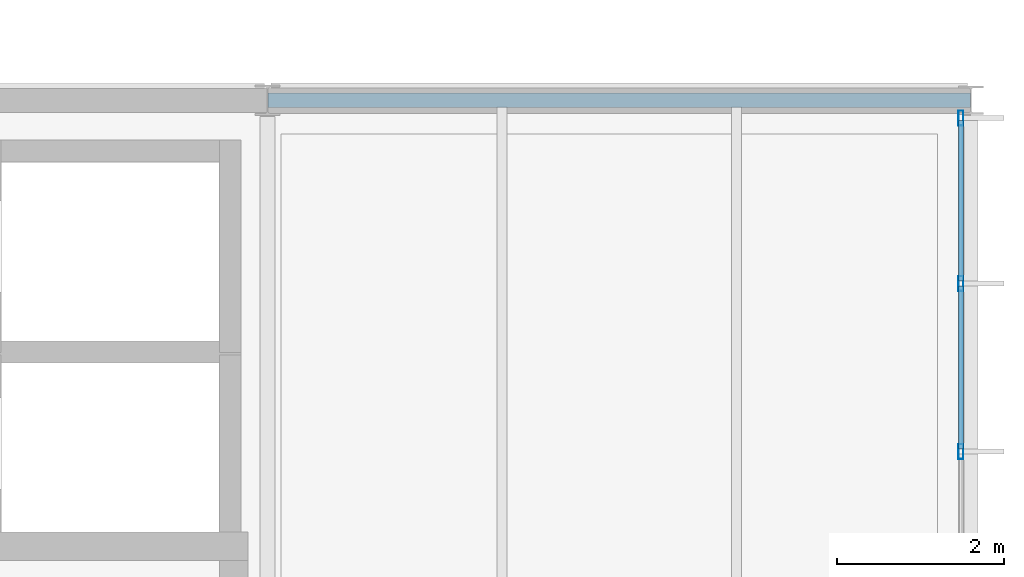
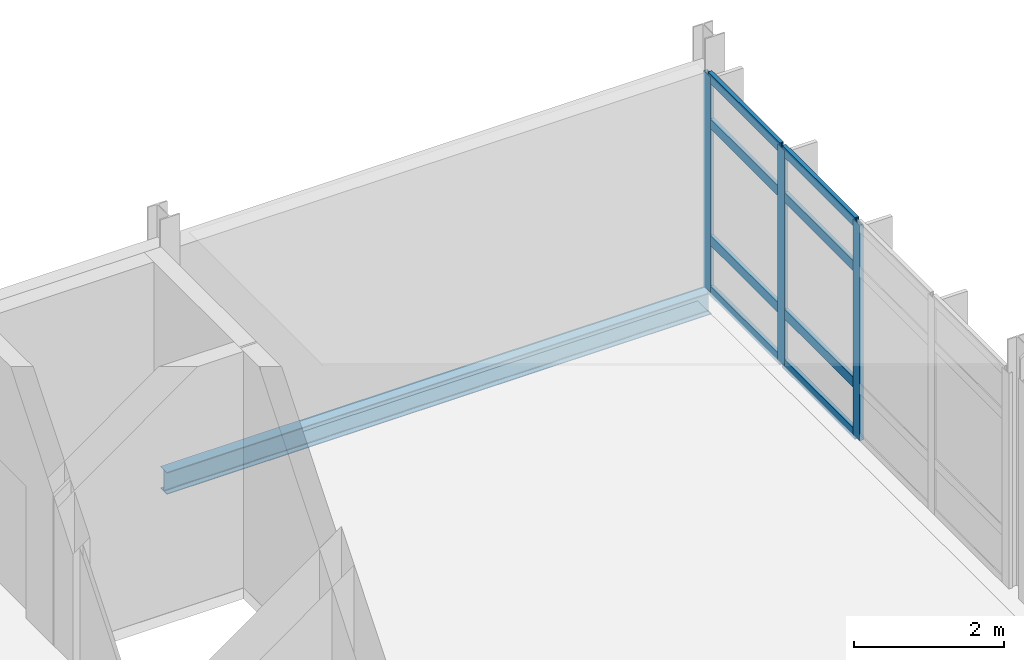
# One storey, part 40 of 57: 11 members, 1 beam, 1 element without a shape of its own.
"""IFC4 building model written with IfcOpenShell, lengths in metres."""

import ifcopenshell
import ifcopenshell.guid

model = None  # the IFC model being written
_history = None  # IfcOwnerHistory: only IFC2X3 demands one
_inside = {}  # id of a spatial element -> (the spatial element, [elements in it])
_under = {}  # id of a project, library or spatial element -> (it, [spatial elements below it])
_declared = {}  # id of a project -> (the project, [libraries it declares])
_typed = {}  # id of a type object -> (the type object, [elements of that type])
_made_of = {}  # id of a material, layer set ... -> (it, [elements and type objects made of it])


def new_model(schema):
    """Start an empty IFC model of exactly this schema.

    Asked for "IFC4X3", IfcOpenShell would pick the latest addendum, in which some entities
    have other attributes; the version numbers below select the first issue.
    IFC2X3 requires an IfcOwnerHistory on every rooted entity: one is made here for all.
    """
    global model, _history
    if schema == "IFC4X3":
        model = ifcopenshell.file(schema_version=(4, 3, 0, 0))
    else:
        model = ifcopenshell.file(schema=schema)
    _inside.clear()
    _under.clear()
    _declared.clear()
    _typed.clear()
    _made_of.clear()
    _history = None
    if model.schema == "IFC2X3":
        org = make("IfcOrganization", Name="unknown")
        user = make(
            "IfcPersonAndOrganization",
            ThePerson=make("IfcPerson", FamilyName="unknown"),
            TheOrganization=org,
        )
        app = make(
            "IfcApplication",
            ApplicationDeveloper=org,
            Version="unknown",
            ApplicationFullName="unknown",
            ApplicationIdentifier="unknown",
        )
        _history = make(
            "IfcOwnerHistory",
            OwningUser=user,
            OwningApplication=app,
            ChangeAction="ADDED",
            CreationDate=0,
        )
    return model


def make(cls, **values):
    """One entity of the class cls with the attributes given. An attribute that is None is left unset."""
    return model.create_entity(
        cls, **{name: value for name, value in values.items() if value is not None}
    )


def rooted(cls, **values):
    """An entity with a GlobalId (a new one), such as an element, a storey or a relation."""
    return make(cls, GlobalId=ifcopenshell.guid.new(), OwnerHistory=_history, **values)


def si_unit(unit_type, name, prefix=None):
    """IfcSIUnit, for example si_unit("LENGTHUNIT", "METRE", prefix="MILLI")."""
    return make("IfcSIUnit", UnitType=unit_type, Prefix=prefix, Name=name)


def assignment(units):
    """IfcUnitAssignment: the units of a project."""
    return None if units is None else make("IfcUnitAssignment", Units=units)


def point(xyz):
    """IfcCartesianPoint."""
    return None if xyz is None else make("IfcCartesianPoint", Coordinates=xyz)


def direction(xyz):
    """IfcDirection."""
    return None if xyz is None else make("IfcDirection", DirectionRatios=xyz)


def frame(location, z_axis=None, x_axis=None):
    """IfcAxis2Placement3D, a coordinate frame: its origin and axes. An axis left out is left unset."""
    return make(
        "IfcAxis2Placement3D",
        Location=point(location),
        Axis=direction(z_axis),
        RefDirection=direction(x_axis),
    )


def frame_2d(location, x_axis=None):
    """IfcAxis2Placement2D, a coordinate frame in the plane: its origin and x axis."""
    return make(
        "IfcAxis2Placement2D", Location=point(location), RefDirection=direction(x_axis)
    )


def origin():
    """The frame at (0, 0, 0) with its axes left unset."""
    return frame((0.0, 0.0, 0.0))


def origin_2d():
    """The frame at (0, 0) in the plane with its x axis left unset."""
    return frame_2d((0.0, 0.0))


def place(relative_to, where):
    """IfcLocalPlacement: puts the frame where relative to a parent placement (None: the world)."""
    return make(
        "IfcLocalPlacement", PlacementRelTo=relative_to, RelativePlacement=where
    )


def context(
    kind, dimensions, precision=None, world=None, true_north=None, identifier=None
):
    """IfcGeometricRepresentationContext, for example the 3D "Model" context."""
    return make(
        "IfcGeometricRepresentationContext",
        ContextIdentifier=identifier,
        ContextType=kind,
        CoordinateSpaceDimension=dimensions,
        Precision=precision,
        WorldCoordinateSystem=world,
        TrueNorth=true_north,
    )


def subcontext(parent, identifier, kind, view, scale=None):
    """IfcGeometricRepresentationSubContext, for example "Body" below "Model"."""
    return make(
        "IfcGeometricRepresentationSubContext",
        ContextIdentifier=identifier,
        ContextType=kind,
        ParentContext=parent,
        TargetScale=scale,
        TargetView=view,
    )


def project(units=None, contexts=None):
    """IfcProject with its units and contexts."""
    return rooted(
        "IfcProject",
        Name="project",
        RepresentationContexts=contexts,
        UnitsInContext=assignment(units),
    )


def spatial(cls, under=None, at=None, **own):
    """A site, building, storey or space (cls), placed at a placement, below another one or the project."""
    s = rooted(cls, ObjectPlacement=at, **own)
    if under is not None:
        _under.setdefault(under.id(), (under, []))[1].append(s)
    return s


def profile(cls, at=None, kind="AREA", **sizes):
    """A parametric profile (cls). Its sizes go by their IFC names, for example OverallWidth=200.0."""
    return make(cls, ProfileType=kind, Position=at, **sizes)


def hollow_rectangle(**sizes):
    """IfcRectangleHollowProfileDef."""
    return profile("IfcRectangleHollowProfileDef", **sizes)


def i_section(**sizes):
    """IfcIShapeProfileDef."""
    return profile("IfcIShapeProfileDef", **sizes)


def extrude(swept, where, along, depth):
    """IfcExtrudedAreaSolid: the profile swept, set in the frame where, extruded along a direction by depth."""
    return make(
        "IfcExtrudedAreaSolid",
        SweptArea=swept,
        Position=where,
        ExtrudedDirection=direction(along),
        Depth=depth,
    )


def shape(context_of_items, identifier, shape_type, items):
    """IfcShapeRepresentation: the items that make up one representation, for example the "Body"."""
    return make(
        "IfcShapeRepresentation",
        ContextOfItems=context_of_items,
        RepresentationIdentifier=identifier,
        RepresentationType=shape_type,
        Items=items,
    )


def material(Name=None, Category=None):
    """IfcMaterial."""
    return make("IfcMaterial", Name=Name, Category=Category)


def material_profile(
    of_material, cross_section, Name=None, Category=None, Priority=None
):
    """IfcMaterialProfile: a cross section and its material."""
    return make(
        "IfcMaterialProfile",
        Name=Name,
        Material=of_material,
        Profile=cross_section,
        Priority=Priority,
        Category=Category,
    )


def profile_set(profiles, Name=None, composite=None):
    """IfcMaterialProfileSet."""
    return make(
        "IfcMaterialProfileSet",
        Name=Name,
        MaterialProfiles=profiles,
        CompositeProfile=composite,
    )


def made_of(thing, what):
    """Note that an element or type object is made of a material, layer set ...; save() writes the relation."""
    if what is not None:
        _made_of.setdefault(what.id(), (what, []))[1].append(thing)
    return thing


def type_object(cls, material=None, **own):
    """A type object (cls), such as IfcWallType, which elements share."""
    return made_of(rooted(cls, **own), material)


def element(
    cls,
    number,
    at=None,
    inside=None,
    cuts=None,
    type_object=None,
    material=None,
    context=None,
    identifier="Body",
    shape_type=None,
    held_by="IfcProductDefinitionShape",
    body=None,
    shapes=None,
    **own,
):
    """One element of the class cls, such as IfcWall. Its Tag is "e" and its number.

    at: its placement. inside: the storey or other place that contains it. cuts: it is an
    opening in that element (IfcRelVoidsElement). A single representation is given by context,
    identifier, shape_type and body (its items); several are given by shapes. held_by: the class
    of the entity that holds the representations. save() writes the other relations.
    """
    e = rooted(cls, Tag="e%d" % number, ObjectPlacement=at, **own)
    if body is not None:
        shapes = [shape(context, identifier, shape_type, body)]
    if shapes is not None:
        e.Representation = make(held_by, Representations=shapes)
    if inside is not None:
        _inside.setdefault(inside.id(), (inside, []))[1].append(e)
    if cuts is not None:
        rooted(
            "IfcRelVoidsElement", RelatingBuildingElement=cuts, RelatedOpeningElement=e
        )
    if type_object is not None:
        _typed.setdefault(type_object.id(), (type_object, []))[1].append(e)
    return made_of(e, material)


def aggregate(whole, parts):
    """IfcRelAggregates: a whole, such as a stair, and the parts it consists of."""
    return rooted("IfcRelAggregates", RelatingObject=whole, RelatedObjects=parts)


def save(model, path):
    """Write the relations noted so far, then the file.

    IfcRelAggregates (storeys below a building ...), IfcRelContainedInSpatialStructure (elements
    in a storey), IfcRelDefinesByType, IfcRelAssociatesMaterial and IfcRelDeclares: one each for
    every whole, place, type object, material and project.
    """
    for whole, parts in _under.values():
        aggregate(whole, parts)
    for where, things in _inside.values():
        rooted(
            "IfcRelContainedInSpatialStructure",
            RelatedElements=things,
            RelatingStructure=where,
        )
    for kind, things in _typed.values():
        rooted("IfcRelDefinesByType", RelatedObjects=things, RelatingType=kind)
    for what, things in _made_of.values():
        rooted("IfcRelAssociatesMaterial", RelatedObjects=things, RelatingMaterial=what)
    for by, libraries in _declared.values():
        rooted("IfcRelDeclares", RelatingContext=by, RelatedDefinitions=libraries)
    model.write(path)


model = new_model("IFC4")

# Units and contexts
model_context = context("Model", 3, precision=1e-05, world=origin(), true_north=direction((0.0, 1.0)))
body_context = subcontext(model_context, "Body", "Model", "MODEL_VIEW")
ifc_project = project(units=[si_unit("LENGTHUNIT", "METRE"), si_unit("AREAUNIT", "SQUARE_METRE"), si_unit("VOLUMEUNIT", "CUBIC_METRE"), si_unit("PLANEANGLEUNIT", "RADIAN"), si_unit("MASSUNIT", "GRAM", prefix="KILO")], contexts=[model_context])

# Site, building, storey
site_placement = place(None, origin())
site = spatial("IfcSite", under=ifc_project, at=site_placement, CompositionType="ELEMENT")
building_placement = place(site_placement, origin())
building = spatial("IfcBuilding", under=site, at=building_placement, Name="Mersafa Astral City Hall", CompositionType="ELEMENT")
storey_placement = place(building_placement, frame((0.0, 0.0, 26.10009765625)))
storey = spatial("IfcBuildingStorey", under=building, at=storey_placement, Name="L06", CompositionType="ELEMENT", Elevation=26.10009765625)

# Curtain wall, members
ifc_material_1 = material(Name="Anodised bronze aluminium framing", Category="aluminium")
curtain_wall_type = type_object("IfcCurtainWallType", Name="ENV-CW-5", PredefinedType="USERDEFINED", material=ifc_material_1)
curtain_wall_placement = place(storey_placement, origin())
curtain_wall = element("IfcCurtainWall", 1, at=curtain_wall_placement, inside=storey, type_object=curtain_wall_type, Name="L06 Unitised solar curtain wall 256", ObjectType="UNITISED CURTAIN WALL", PredefinedType="USERDEFINED")
ifc_material_profile_1 = material_profile(ifc_material_1, hollow_rectangle(XDim=0.06005859375, YDim=0.179931640625, WallThickness=0.00390625, at=origin_2d()), Name="RHS 60x180x4")
ifc_profile_set_1 = profile_set([ifc_material_profile_1], Name="Anodised bronze aluminium framing")
member_type_1 = type_object("IfcMemberType", Name="ENV-CW-MUL-1", PredefinedType="MULLION", material=ifc_profile_set_1)
member_1_placement = place(storey_placement, frame((184.679931640625, 121.804931640625, -0.002197265625), z_axis=(0.0, 0.0, 1.0), x_axis=(-1.0, 0.0, 0.0)))
member_1 = element("IfcMember", 2, at=member_1_placement, type_object=member_type_1, Name="CW-5 mullion 3", PredefinedType="MULLION", context=body_context, shape_type="SweptSolid", body=[
    extrude(hollow_rectangle(XDim=0.06005859375, YDim=0.179931640625, WallThickness=0.00390625, at=origin_2d()), origin(), (0.0, 0.0, 1.0), 3.51416015625),
])
member_2_placement = place(storey_placement, frame((184.679931640625, 123.8115234375, -0.002197265625), z_axis=(0.0, 0.0, 1.0), x_axis=(-1.0, 0.0, 0.0)))
member_2 = element("IfcMember", 3, at=member_2_placement, type_object=member_type_1, Name="CW-5 mullion 4", PredefinedType="MULLION", context=body_context, shape_type="SweptSolid", body=[
    extrude(hollow_rectangle(XDim=0.06005859375, YDim=0.179931640625, WallThickness=0.00390625, at=origin_2d()), origin(), (0.0, 0.0, 1.0), 3.51416015625),
])
member_3_placement = place(storey_placement, frame((184.679931640625, 125.7880859375, -0.002197265625), z_axis=(0.0, 0.0, 1.0), x_axis=(-1.0, 0.0, 0.0)))
member_3 = element("IfcMember", 4, at=member_3_placement, type_object=member_type_1, Name="CW-5 mullion 5", PredefinedType="MULLION", context=body_context, shape_type="SweptSolid", body=[
    extrude(hollow_rectangle(XDim=0.06005859375, YDim=0.179931640625, WallThickness=0.00390625, at=origin_2d()), origin(), (0.0, 0.0, 1.0), 3.51416015625),
])
ifc_material_profile_2 = material_profile(ifc_material_1, hollow_rectangle(XDim=0.06005859375, YDim=0.159912109375, WallThickness=0.00390625, at=origin_2d()), Name="RHS 60x160x4")
ifc_profile_set_2 = profile_set([ifc_material_profile_2], Name="Anodised bronze aluminium framing")
member_type_2 = type_object("IfcMemberType", Name="ENV-CW-TRN-2", PredefinedType="USERDEFINED", material=ifc_profile_set_2)
member_4_placement = place(storey_placement, frame((184.679931640625, 121.8349609375, 0.02783203125), z_axis=(0.0, 1.0, 0.0), x_axis=(-1.0, 0.0, 0.0)))
member_4 = element("IfcMember", 5, at=member_4_placement, type_object=member_type_2, Name="CW-5 transom 3.1", ObjectType="TRANSOM", PredefinedType="USERDEFINED", context=body_context, shape_type="SweptSolid", body=[
    extrude(hollow_rectangle(XDim=0.06005859375, YDim=0.159912109375, WallThickness=0.00390625, at=origin_2d()), origin(), (0.0, 0.0, 1.0), 1.946533203125),
])
member_5_placement = place(storey_placement, frame((184.679931640625, 121.8349609375, 0.849853515625), z_axis=(0.0, 1.0, 0.0), x_axis=(-1.0, 0.0, 0.0)))
member_5 = element("IfcMember", 6, at=member_5_placement, type_object=member_type_2, Name="CW-5 transom 3.2", ObjectType="TRANSOM", PredefinedType="USERDEFINED", context=body_context, shape_type="SweptSolid", body=[
    extrude(hollow_rectangle(XDim=0.06005859375, YDim=0.159912109375, WallThickness=0.00390625, at=origin_2d()), origin(), (0.0, 0.0, 1.0), 1.946533203125),
])
member_6_placement = place(storey_placement, frame((184.679931640625, 121.8349609375, 2.75), z_axis=(0.0, 1.0, 0.0), x_axis=(-1.0, 0.0, 0.0)))
member_6 = element("IfcMember", 7, at=member_6_placement, type_object=member_type_2, Name="CW-5 transom 3.3", ObjectType="TRANSOM", PredefinedType="USERDEFINED", context=body_context, shape_type="SweptSolid", body=[
    extrude(hollow_rectangle(XDim=0.06005859375, YDim=0.159912109375, WallThickness=0.00390625, at=origin_2d()), origin(), (0.0, 0.0, 1.0), 1.946533203125),
])
member_7_placement = place(storey_placement, frame((184.679931640625, 121.8349609375, 3.48193359375), z_axis=(0.0, 1.0, 0.0), x_axis=(-1.0, 0.0, 0.0)))
member_7 = element("IfcMember", 8, at=member_7_placement, type_object=member_type_2, Name="CW-5 transom 3.4", ObjectType="TRANSOM", PredefinedType="USERDEFINED", context=body_context, shape_type="SweptSolid", body=[
    extrude(hollow_rectangle(XDim=0.06005859375, YDim=0.159912109375, WallThickness=0.00390625, at=origin_2d()), origin(), (0.0, 0.0, 1.0), 1.946533203125),
])
member_8_placement = place(storey_placement, frame((184.679931640625, 123.841552734375, 0.02783203125), z_axis=(0.0, 1.0, 0.0), x_axis=(-1.0, 0.0, 0.0)))
member_8 = element("IfcMember", 9, at=member_8_placement, type_object=member_type_2, Name="CW-5 transom 4.1", ObjectType="TRANSOM", PredefinedType="USERDEFINED", context=body_context, shape_type="SweptSolid", body=[
    extrude(hollow_rectangle(XDim=0.06005859375, YDim=0.159912109375, WallThickness=0.00390625, at=origin_2d()), origin(), (0.0, 0.0, 1.0), 1.91650390625),
])
member_9_placement = place(storey_placement, frame((184.679931640625, 123.841552734375, 0.849853515625), z_axis=(0.0, 1.0, 0.0), x_axis=(-1.0, 0.0, 0.0)))
member_9 = element("IfcMember", 10, at=member_9_placement, type_object=member_type_2, Name="CW-5 transom 4.2", ObjectType="TRANSOM", PredefinedType="USERDEFINED", context=body_context, shape_type="SweptSolid", body=[
    extrude(hollow_rectangle(XDim=0.06005859375, YDim=0.159912109375, WallThickness=0.00390625, at=origin_2d()), origin(), (0.0, 0.0, 1.0), 1.91650390625),
])
member_10_placement = place(storey_placement, frame((184.679931640625, 123.841552734375, 2.75), z_axis=(0.0, 1.0, 0.0), x_axis=(-1.0, 0.0, 0.0)))
member_10 = element("IfcMember", 11, at=member_10_placement, type_object=member_type_2, Name="CW-5 transom 4.3", ObjectType="TRANSOM", PredefinedType="USERDEFINED", context=body_context, shape_type="SweptSolid", body=[
    extrude(hollow_rectangle(XDim=0.06005859375, YDim=0.159912109375, WallThickness=0.00390625, at=origin_2d()), origin(), (0.0, 0.0, 1.0), 1.91650390625),
])
member_11_placement = place(storey_placement, frame((184.679931640625, 123.841552734375, 3.48193359375), z_axis=(0.0, 1.0, 0.0), x_axis=(-1.0, 0.0, 0.0)))
member_11 = element("IfcMember", 12, at=member_11_placement, type_object=member_type_2, Name="CW-5 transom 4.4", ObjectType="TRANSOM", PredefinedType="USERDEFINED", context=body_context, shape_type="SweptSolid", body=[
    extrude(hollow_rectangle(XDim=0.06005859375, YDim=0.159912109375, WallThickness=0.00390625, at=origin_2d()), origin(), (0.0, 0.0, 1.0), 1.91650390625),
])
aggregate(curtain_wall, [member_1, member_2, member_3, member_4, member_5, member_6, member_7, member_8, member_9, member_10, member_11])

# Beam
ifc_material_2 = material(Name="Steel S355", Category="steel")
ifc_material_profile_3 = material_profile(ifc_material_2, i_section(OverallWidth=0.169921875, OverallDepth=0.360107421875, WebThickness=0.008056640625, FlangeThickness=0.0126953125, FilletRadius=0.01806640625, at=origin_2d()), Name="IPE 360")
ifc_profile_set_3 = profile_set([ifc_material_profile_3], Name="Steel S355")
beam_type = type_object("IfcBeamType", Name="STR-BM-SPANDREL-IPE360", PredefinedType="SPANDREL", material=ifc_profile_set_3)
beam_placement = place(storey_placement, frame((176.403076171875, 126.0, -0.35498046875), z_axis=(1.0, 0.0, 0.0), x_axis=(0.0, 1.0, 0.0)))
element("IfcBeam", 13, at=beam_placement, inside=storey, type_object=beam_type, Name="L06 Primary girder X 21-15", PredefinedType="SPANDREL", context=body_context, shape_type="SweptSolid", body=[
    extrude(i_section(OverallWidth=0.169921875, OverallDepth=0.360107421875, WebThickness=0.008056640625, FlangeThickness=0.0126953125, FilletRadius=0.01806640625, at=origin_2d()), origin(), (0.0, 0.0, 1.0), 8.39404296875),
])

save(model, "model.ifc")
